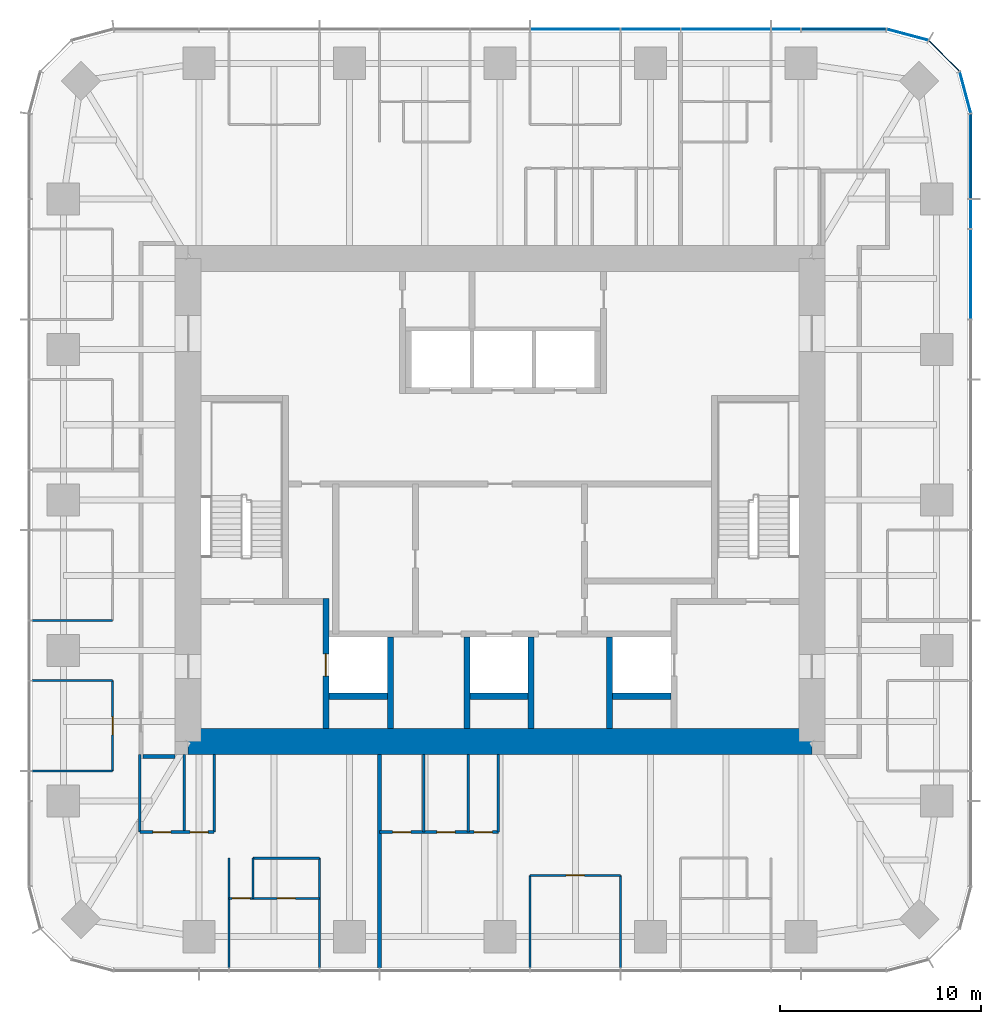
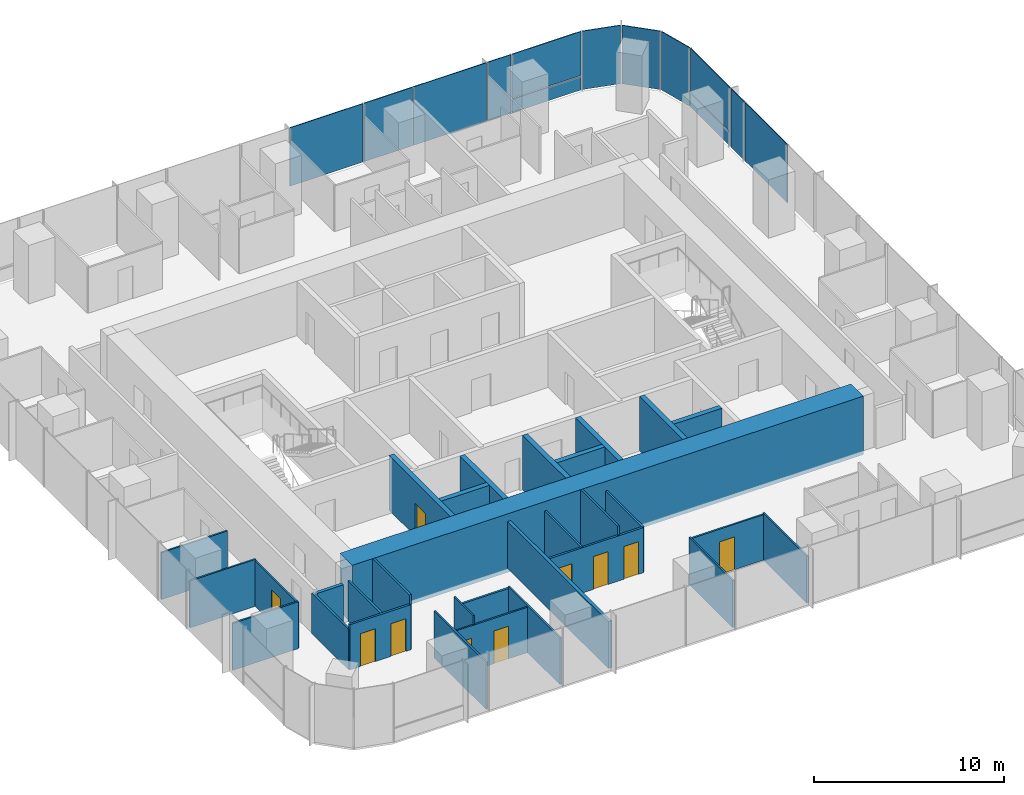
# One storey, part 8 of 12: 31 walls, 13 plates, 10 doors, 10 openings, 3 elements without a shape of their own.
"""IFC4 building model written with IfcOpenShell, lengths in metres."""

from ifc_helpers import new_model, si_unit, direction, frame, frame_2d, origin, origin_2d, place, context, subcontext, project, spatial, rectangle, extrude, material, layer, layer_set, type_object, element, fill, aggregate, save


model = new_model("IFC4")

# Units and contexts
model_context = context("Model", 3, precision=1e-05, world=origin(), true_north=direction((0.0, 1.0)))
body_context = subcontext(model_context, "Body", "Model", "MODEL_VIEW")
ifc_project = project(units=[si_unit("LENGTHUNIT", "METRE"), si_unit("AREAUNIT", "SQUARE_METRE"), si_unit("VOLUMEUNIT", "CUBIC_METRE"), si_unit("PLANEANGLEUNIT", "RADIAN"), si_unit("MASSUNIT", "GRAM", prefix="KILO")], contexts=[model_context])

# Site, building, storey
site_placement = place(None, origin())
site = spatial("IfcSite", under=ifc_project, at=site_placement, CompositionType="ELEMENT")
building_placement = place(site_placement, origin())
building = spatial("IfcBuilding", under=site, at=building_placement, Name="Khuree Lantern Residences", CompositionType="ELEMENT")
storey_placement = place(building_placement, frame((0.0, 0.0, 319.5)))
storey = spatial("IfcBuildingStorey", under=building, at=storey_placement, Name="L80", CompositionType="ELEMENT", Elevation=319.5)

# Curtain wall, plates
ifc_material_1 = material(Name="Bronze anodised aluminium", Category="aluminium")
curtain_wall_type_1 = type_object("IfcCurtainWallType", Name="CW-T2 TOWER CORNER CURTAIN WALL", PredefinedType="USERDEFINED", material=ifc_material_1)
curtain_wall_1_placement = place(storey_placement, origin())
curtain_wall_1 = element("IfcCurtainWall", 1, at=curtain_wall_1_placement, inside=storey, type_object=curtain_wall_type_1, Name="L80 NORTH-EAST CORNER CURTAIN WALL", ObjectType="Faceted corner curtain wall", PredefinedType="USERDEFINED")
ifc_material_2 = material(Name="Bronze tinted triple glazing", Category="glass")
ifc_layer_1 = layer(ifc_material_2, 0.048095703125)
ifc_layer_set_1 = layer_set([ifc_layer_1], Name="FACET PANEL P4")
plate_type_1 = type_object("IfcPlateType", Name="FACET PANEL P4", PredefinedType="CURTAIN_PANEL", material=ifc_layer_set_1)
plate_1_placement = place(storey_placement, frame((23.119140625, 20.248046875, 0.0), z_axis=(0.0, 0.0, 1.0), x_axis=(-0.2588189146, 0.965925861257, 0.0)))
plate_1 = element("IfcPlate", 2, at=plate_1_placement, type_object=plate_type_1, Name="L80 NORTH-EAST CORNER PANEL 15.1", PredefinedType="CURTAIN_PANEL", context=body_context, shape_type="SweptSolid", body=[
    extrude(rectangle(XDim=2.09814453125, YDim=0.048095703125, at=origin_2d()), origin(), (0.0, 0.0, 1.0), 3.75),
])
plate_2_placement = place(storey_placement, frame((22.068603515625, 22.068603515625, 0.0), z_axis=(0.0, 0.0, 1.0), x_axis=(-0.707106781187, 0.707106781187, 0.0)))
plate_2 = element("IfcPlate", 3, at=plate_2_placement, type_object=plate_type_1, Name="L80 NORTH-EAST CORNER PANEL 16.1", PredefinedType="CURTAIN_PANEL", context=body_context, shape_type="SweptSolid", body=[
    extrude(rectangle(XDim=2.093994140625, YDim=0.048095703125, at=origin_2d()), origin(), (0.0, 0.0, 1.0), 3.75),
])
plate_3_placement = place(storey_placement, frame((20.248046875, 23.119140625, 0.0), z_axis=(0.0, 0.0, 1.0), x_axis=(-0.965925861257, 0.2588189146, 0.0)))
plate_3 = element("IfcPlate", 4, at=plate_3_placement, type_object=plate_type_1, Name="L80 NORTH-EAST CORNER PANEL 17.1", PredefinedType="CURTAIN_PANEL", context=body_context, shape_type="SweptSolid", body=[
    extrude(rectangle(XDim=2.09814453125, YDim=0.048095703125, at=origin_2d()), origin(), (0.0, 0.0, 1.0), 3.75),
])
aggregate(curtain_wall_1, [plate_1, plate_2, plate_3])

# Curtain wall, plate
curtain_wall_type_2 = type_object("IfcCurtainWallType", Name="CW-T1 TOWER FACE CURTAIN WALL", PredefinedType="USERDEFINED", material=ifc_material_1)
curtain_wall_2_placement = place(storey_placement, origin())
curtain_wall_2 = element("IfcCurtainWall", 5, at=curtain_wall_2_placement, inside=storey, type_object=curtain_wall_type_2, Name="L80 EAST FACE CURTAIN WALL", ObjectType="Stick-built curtain wall", PredefinedType="USERDEFINED")
ifc_material_3 = material(Name="Bronze tinted triple glazing with a ceramic-fritted spandrel band", Category="glass")
ifc_layer_2 = layer(ifc_material_3, 0.048095703125)
ifc_layer_set_2 = layer_set([ifc_layer_2], Name="FIXED LIGHT PANEL P11")
plate_type_2 = type_object("IfcPlateType", Name="FIXED LIGHT PANEL P11", PredefinedType="CURTAIN_PANEL", material=ifc_layer_set_2)
plate_4_placement = place(storey_placement, frame((23.39990234375, 11.219970703125, 0.0), z_axis=(0.0, 0.0, 1.0), x_axis=(0.0, 1.0, 0.0)))
plate_4 = element("IfcPlate", 6, at=plate_4_placement, type_object=plate_type_2, Name="L80 EAST FACE PANEL 12.1", PredefinedType="CURTAIN_PANEL", context=body_context, shape_type="SweptSolid", body=[
    extrude(rectangle(XDim=4.423095703125, YDim=0.048095703125, at=origin_2d()), origin(), (0.0, 0.0, 1.0), 3.75),
])

# Curtain wall, plates
curtain_wall_3_placement = place(storey_placement, origin())
curtain_wall_3 = element("IfcCurtainWall", 7, at=curtain_wall_3_placement, inside=storey, type_object=curtain_wall_type_2, Name="L80 NORTH FACE CURTAIN WALL", ObjectType="Stick-built curtain wall", PredefinedType="USERDEFINED")
plate_5_placement = place(storey_placement, frame((11.219970703125, 23.39990234375, 0.0), z_axis=(0.0, 0.0, 1.0), x_axis=(-1.0, 0.0, 0.0)))
plate_5 = element("IfcPlate", 8, at=plate_5_placement, type_object=plate_type_2, Name="L80 NORTH FACE PANEL 20.1", PredefinedType="CURTAIN_PANEL", context=body_context, shape_type="SweptSolid", body=[
    extrude(rectangle(XDim=4.423095703125, YDim=0.048095703125, at=origin_2d()), origin(), (0.0, 0.0, 1.0), 3.75),
])
plate_6_placement = place(storey_placement, frame((3.739990234375, 23.39990234375, 0.0), z_axis=(0.0, 0.0, 1.0), x_axis=(-1.0, 0.0, 0.0)))
plate_6 = element("IfcPlate", 9, at=plate_6_placement, type_object=plate_type_2, Name="L80 NORTH FACE PANEL 22.1", PredefinedType="CURTAIN_PANEL", context=body_context, shape_type="SweptSolid", body=[
    extrude(rectangle(XDim=4.423095703125, YDim=0.048095703125, at=origin_2d()), origin(), (0.0, 0.0, 1.0), 3.75),
])
ifc_material_4 = material(Name="Bronze tinted triple glazing, two aluminium-framed sashes in one frame", Category="aluminium")
ifc_layer_3 = layer(ifc_material_4, 0.048095703125)
ifc_layer_set_3 = layer_set([ifc_layer_3], Name="SASH PAIR PANEL P12")
plate_type_3 = type_object("IfcPlateType", Name="SASH PAIR PANEL P12", PredefinedType="CURTAIN_PANEL", material=ifc_layer_set_3)
plate_7_placement = place(storey_placement, frame((7.47998046875, 23.39990234375, 0.0), z_axis=(0.0, 0.0, 1.0), x_axis=(-1.0, 0.0, 0.0)))
plate_7 = element("IfcPlate", 10, at=plate_7_placement, type_object=plate_type_3, Name="L80 NORTH FACE PANEL 21.1", PredefinedType="CURTAIN_PANEL", context=body_context, shape_type="SweptSolid", body=[
    extrude(rectangle(XDim=2.927001953125, YDim=0.048095703125, at=origin_2d()), origin(), (0.0, 0.0, 1.0), 3.75),
])

# Plate
ifc_material_5 = material(Name="Bronze tinted triple glazing, aluminium-framed sash", Category="aluminium")
ifc_layer_4 = layer(ifc_material_5, 0.048095703125)
ifc_layer_set_4 = layer_set([ifc_layer_4], Name="SASH PANEL P3")
plate_type_4 = type_object("IfcPlateType", Name="SASH PANEL P3", PredefinedType="CURTAIN_PANEL", material=ifc_layer_set_4)
plate_8_placement = place(storey_placement, frame((23.39990234375, 14.2119140625, 0.0), z_axis=(0.0, 0.0, 1.0), x_axis=(0.0, 1.0, 0.0)))
plate_8 = element("IfcPlate", 11, at=plate_8_placement, type_object=plate_type_4, Name="L80 EAST FACE PANEL 13.1", PredefinedType="CURTAIN_PANEL", context=body_context, shape_type="SweptSolid", body=[
    extrude(rectangle(XDim=1.430908203125, YDim=0.048095703125, at=origin_2d()), origin(), (0.0, 0.0, 1.0), 3.75),
])

plate_9_placement = place(storey_placement, frame((14.2119140625, 23.39990234375, 0.0), z_axis=(0.0, 0.0, 1.0), x_axis=(-1.0, 0.0, 0.0)))
plate_9 = element("IfcPlate", 12, at=plate_9_placement, type_object=plate_type_4, Name="L80 NORTH FACE PANEL 19.1", PredefinedType="CURTAIN_PANEL", context=body_context, shape_type="SweptSolid", body=[
    extrude(rectangle(XDim=1.430908203125, YDim=0.048095703125, at=origin_2d()), origin(), (0.0, 0.0, 1.0), 3.75),
])

ifc_material_6 = material(Name="Bronze anodised aluminium insulated spandrel", Category="aluminium")
ifc_layer_5 = layer(ifc_material_6, 0.06005859375)
ifc_layer_set_5 = layer_set([ifc_layer_5], Name="SPANDREL PANEL P2")
plate_type_5 = type_object("IfcPlateType", Name="SPANDREL PANEL P2", PredefinedType="CURTAIN_PANEL", material=ifc_layer_set_5)
plate_10_placement = place(storey_placement, frame((23.39990234375, 17.077880859375, 0.0), z_axis=(0.0, 0.0, 1.0), x_axis=(0.0, 1.0, 0.0)))
plate_10 = element("IfcPlate", 13, at=plate_10_placement, type_object=plate_type_5, Name="L80 EAST FACE PANEL 14.1", PredefinedType="CURTAIN_PANEL", context=body_context, shape_type="SweptSolid", body=[
    extrude(rectangle(XDim=4.170654296875, YDim=0.06005859375, at=origin_2d()), origin(), (0.0, 0.0, 1.0), 0.867431640625),
])

plate_11_placement = place(storey_placement, frame((17.077880859375, 23.39990234375, 0.0), z_axis=(0.0, 0.0, 1.0), x_axis=(-1.0, 0.0, 0.0)))
plate_11 = element("IfcPlate", 14, at=plate_11_placement, type_object=plate_type_5, Name="L80 NORTH FACE PANEL 18.1", PredefinedType="CURTAIN_PANEL", context=body_context, shape_type="SweptSolid", body=[
    extrude(rectangle(XDim=4.170654296875, YDim=0.06005859375, at=origin_2d()), origin(), (0.0, 0.0, 1.0), 0.867431640625),
])

ifc_layer_6 = layer(ifc_material_2, 0.048095703125)
ifc_layer_set_6 = layer_set([ifc_layer_6], Name="VISION PANEL P1")
plate_type_6 = type_object("IfcPlateType", Name="VISION PANEL P1", PredefinedType="CURTAIN_PANEL", material=ifc_layer_set_6)
plate_12_placement = place(storey_placement, frame((23.39990234375, 17.078369140625, 0.9326171875), z_axis=(0.0, 0.0, 1.0), x_axis=(0.0, 1.0, 0.0)))
plate_12 = element("IfcPlate", 15, at=plate_12_placement, type_object=plate_type_6, Name="L80 EAST FACE PANEL 14.2", PredefinedType="CURTAIN_PANEL", context=body_context, shape_type="SweptSolid", body=[
    extrude(rectangle(XDim=4.171630859375, YDim=0.048095703125, at=origin_2d()), origin(), (0.0, 0.0, 1.0), 2.8173828125),
])

aggregate(curtain_wall_2, [plate_4, plate_8, plate_10, plate_12])

plate_13_placement = place(storey_placement, frame((17.078369140625, 23.39990234375, 0.9326171875), z_axis=(0.0, 0.0, 1.0), x_axis=(-1.0, 0.0, 0.0)))
plate_13 = element("IfcPlate", 16, at=plate_13_placement, type_object=plate_type_6, Name="L80 NORTH FACE PANEL 18.2", PredefinedType="CURTAIN_PANEL", context=body_context, shape_type="SweptSolid", body=[
    extrude(rectangle(XDim=4.171630859375, YDim=0.048095703125, at=origin_2d()), origin(), (0.0, 0.0, 1.0), 2.8173828125),
])

aggregate(curtain_wall_3, [plate_11, plate_13, plate_9, plate_5, plate_7, plate_6])

# Wall
ifc_material_7 = material(Name="Moisture-resistant gypsum board on steel studs", Category="steel")
ifc_layer_7 = layer(ifc_material_7, 0.125)
ifc_layer_set_7 = layer_set([ifc_layer_7], Name="BATHROOM WALL BTW125")
wall_type_1 = type_object("IfcWallType", Name="BATHROOM WALL BTW125", PredefinedType="PARTITIONING", material=ifc_layer_set_7)
wall_1_placement = place(storey_placement, frame((-12.263916015625, -17.79638671875, 0.0), z_axis=(0.0, 0.0, 1.0), x_axis=(1.0, 0.0, 0.0)))
element("IfcWall", 17, at=wall_1_placement, inside=storey, type_object=wall_type_1, Name="L80 BATHROOM WALL 03", PredefinedType="PARTITIONING", context=body_context, shape_type="SweptSolid", body=[
    extrude(rectangle(XDim=3.287841796875, YDim=0.125, at=frame_2d((1.64404296875, 0.0))), origin(), (0.0, 0.0, 1.0), 2.909912109375),
])

# Wall, openings, doors
wall_2_placement = place(storey_placement, frame((-17.89990234375, -16.496337890625, 0.0), z_axis=(0.0, 0.0, 1.0), x_axis=(1.0, 0.0, 0.0)))
wall_2 = element("IfcWall", 18, at=wall_2_placement, inside=storey, type_object=wall_type_1, Name="L80 BATHROOM WALL 03", PredefinedType="PARTITIONING", context=body_context, shape_type="SweptSolid", body=[
    extrude(rectangle(XDim=3.699951171875, YDim=0.125, at=frame_2d((1.85009765625, 0.0))), origin(), (0.0, 0.0, 1.0), 2.89990234375),
])
opening_1_placement = place(wall_2_placement, frame((0.64990234375, 0.0, 0.0)))
opening_1 = element("IfcOpeningElement", 19, at=opening_1_placement, cuts=wall_2, Name="Opening 80-042", PredefinedType="OPENING", context=body_context, shape_type="SweptSolid", body=[
    extrude(rectangle(XDim=0.89990234375, YDim=2.10009765625, at=frame_2d((0.449951171875, 1.050048828125))), frame((0.0, 0.072509765625, 0.0), z_axis=(0.0, -1.0, 0.0), x_axis=(1.0, 0.0, 0.0)), (0.0, 0.0, 1.0), 0.14501953125),
])
opening_2_placement = place(wall_2_placement, frame((2.5, 0.0, 0.0)))
opening_2 = element("IfcOpeningElement", 20, at=opening_2_placement, cuts=wall_2, Name="Opening 80-043", PredefinedType="OPENING", context=body_context, shape_type="SweptSolid", body=[
    extrude(rectangle(XDim=0.89990234375, YDim=2.10009765625, at=frame_2d((0.449951171875, 1.050048828125))), frame((0.0, 0.072509765625, 0.0), z_axis=(0.0, -1.0, 0.0), x_axis=(1.0, 0.0, 0.0)), (0.0, 0.0, 1.0), 0.14501953125),
])
ifc_material_8 = material(Name="Timber door leaf in hardwood frame", Category="wood")
door_type_1 = type_object("IfcDoorType", Name="BATHROOM DOOR 900X2100", OperationType="SINGLE_SWING_LEFT", PredefinedType="DOOR", material=ifc_material_8)
door_1_placement = place(opening_1_placement, origin())
door_1 = element("IfcDoor", 21, at=door_1_placement, inside=storey, type_object=door_type_1, Name="Bathroom door 80-042", OperationType="SINGLE_SWING_LEFT", OverallHeight=2.10009765625, OverallWidth=0.89990234375, PredefinedType="DOOR", context=body_context, shape_type="SweptSolid", body=[
    extrude(rectangle(XDim=0.89990234375, YDim=2.10009765625, at=frame_2d((0.449951171875, 1.050048828125))), frame((0.0, 0.02490234375, 0.0), z_axis=(0.0, -1.0, 0.0), x_axis=(1.0, 0.0, 0.0)), (0.0, 0.0, 1.0), 0.050048828125),
])
fill(opening_1, door_1)
door_type_2 = type_object("IfcDoorType", Name="WC DOOR 900X2100", OperationType="SINGLE_SWING_LEFT", PredefinedType="DOOR", material=ifc_material_8)
door_2_placement = place(opening_2_placement, origin())
door_2 = element("IfcDoor", 22, at=door_2_placement, inside=storey, type_object=door_type_2, Name="WC door 80-043", OperationType="SINGLE_SWING_LEFT", OverallHeight=2.10009765625, OverallWidth=0.89990234375, PredefinedType="DOOR", context=body_context, shape_type="SweptSolid", body=[
    extrude(rectangle(XDim=0.89990234375, YDim=2.10009765625, at=frame_2d((0.449951171875, 1.050048828125))), frame((0.0, 0.02490234375, 0.0), z_axis=(0.0, -1.0, 0.0), x_axis=(1.0, 0.0, 0.0)), (0.0, 0.0, 1.0), 0.050048828125),
])
fill(opening_2, door_2)

# Walls
for number, where, z_axis, x_axis, name in (
    (23, (-17.89990234375, -12.64990234375, 0.0), (0.0, 0.0, 1.0), (0.0, -1.0, 0.0), "L80 BATHROOM WALL 03"),
    (24, (-15.699951171875, -12.64990234375, 0.0), (0.0, 0.0, 1.0), (0.0, -1.0, 0.0), "L80 BATHROOM WALL 03"),
):
    element("IfcWall", number, at=place(storey_placement, frame(where, z_axis=z_axis, x_axis=x_axis)), inside=storey, type_object=wall_type_1, Name=name, PredefinedType="PARTITIONING", context=body_context, shape_type="SweptSolid", body=[
        extrude(rectangle(XDim=3.846435546875, YDim=0.125, at=frame_2d((1.92333984375, 0.0))), origin(), (0.0, 0.0, 1.0), 2.60009765625),
    ])
wall_3_placement = place(storey_placement, frame((-14.199951171875, -12.64990234375, 0.0), z_axis=(0.0, 0.0, 1.0), x_axis=(0.0, -1.0, 0.0)))
element("IfcWall", 25, at=wall_3_placement, inside=storey, type_object=wall_type_1, Name="L80 BATHROOM WALL 03", PredefinedType="PARTITIONING", context=body_context, shape_type="SweptSolid", body=[
    extrude(rectangle(XDim=3.846435546875, YDim=0.125, at=frame_2d((1.92333984375, 0.0))), origin(), (0.0, 0.0, 1.0), 3.5),
])

# Wall, openings, doors
wall_4_placement = place(storey_placement, frame((-5.98388671875, -16.496337890625, 0.0), z_axis=(0.0, 0.0, 1.0), x_axis=(1.0, 0.0, 0.0)))
wall_4 = element("IfcWall", 26, at=wall_4_placement, inside=storey, type_object=wall_type_1, Name="L80 BATHROOM WALL 04", PredefinedType="PARTITIONING", context=body_context, shape_type="SweptSolid", body=[
    extrude(rectangle(XDim=5.89990234375, YDim=0.125, at=frame_2d((2.949951171875, 0.0))), origin(), (0.0, 0.0, 1.0), 2.89990234375),
])
opening_3_placement = place(wall_4_placement, frame((0.64990234375, 0.0, 0.0)))
opening_3 = element("IfcOpeningElement", 27, at=opening_3_placement, cuts=wall_4, Name="Opening 80-049", PredefinedType="OPENING", context=body_context, shape_type="SweptSolid", body=[
    extrude(rectangle(XDim=0.89990234375, YDim=2.10009765625, at=frame_2d((0.449951171875, 1.050048828125))), frame((0.0, 0.072509765625, 0.0), z_axis=(0.0, -1.0, 0.0), x_axis=(1.0, 0.0, 0.0)), (0.0, 0.0, 1.0), 0.14501953125),
])
opening_4_placement = place(wall_4_placement, frame((2.85009765625, 0.0, 0.0)))
opening_4 = element("IfcOpeningElement", 28, at=opening_4_placement, cuts=wall_4, Name="Opening 80-050", PredefinedType="OPENING", context=body_context, shape_type="SweptSolid", body=[
    extrude(rectangle(XDim=0.89990234375, YDim=2.10009765625, at=frame_2d((0.449951171875, 1.050048828125))), frame((0.0, 0.072509765625, 0.0), z_axis=(0.0, -1.0, 0.0), x_axis=(1.0, 0.0, 0.0)), (0.0, 0.0, 1.0), 0.14501953125),
])
opening_5_placement = place(wall_4_placement, frame((4.699951171875, 0.0, 0.0)))
opening_5 = element("IfcOpeningElement", 29, at=opening_5_placement, cuts=wall_4, Name="Opening 80-051", PredefinedType="OPENING", context=body_context, shape_type="SweptSolid", body=[
    extrude(rectangle(XDim=0.89990234375, YDim=2.10009765625, at=frame_2d((0.449951171875, 1.050048828125))), frame((0.0, 0.072509765625, 0.0), z_axis=(0.0, -1.0, 0.0), x_axis=(1.0, 0.0, 0.0)), (0.0, 0.0, 1.0), 0.14501953125),
])
door_3_placement = place(opening_3_placement, origin())
door_3 = element("IfcDoor", 30, at=door_3_placement, inside=storey, type_object=door_type_1, Name="Bathroom door 80-049", OperationType="SINGLE_SWING_LEFT", OverallHeight=2.10009765625, OverallWidth=0.89990234375, PredefinedType="DOOR", context=body_context, shape_type="SweptSolid", body=[
    extrude(rectangle(XDim=0.89990234375, YDim=2.10009765625, at=frame_2d((0.449951171875, 1.050048828125))), frame((0.0, 0.02490234375, 0.0), z_axis=(0.0, -1.0, 0.0), x_axis=(1.0, 0.0, 0.0)), (0.0, 0.0, 1.0), 0.050048828125),
])
fill(opening_3, door_3)
door_4_placement = place(opening_4_placement, origin())
door_4 = element("IfcDoor", 31, at=door_4_placement, inside=storey, type_object=door_type_1, Name="Bathroom door 80-050", OperationType="SINGLE_SWING_LEFT", OverallHeight=2.10009765625, OverallWidth=0.89990234375, PredefinedType="DOOR", context=body_context, shape_type="SweptSolid", body=[
    extrude(rectangle(XDim=0.89990234375, YDim=2.10009765625, at=frame_2d((0.449951171875, 1.050048828125))), frame((0.0, 0.02490234375, 0.0), z_axis=(0.0, -1.0, 0.0), x_axis=(1.0, 0.0, 0.0)), (0.0, 0.0, 1.0), 0.050048828125),
])
fill(opening_4, door_4)
door_5_placement = place(opening_5_placement, origin())
door_5 = element("IfcDoor", 32, at=door_5_placement, inside=storey, type_object=door_type_2, Name="WC door 80-051", OperationType="SINGLE_SWING_LEFT", OverallHeight=2.10009765625, OverallWidth=0.89990234375, PredefinedType="DOOR", context=body_context, shape_type="SweptSolid", body=[
    extrude(rectangle(XDim=0.89990234375, YDim=2.10009765625, at=frame_2d((0.449951171875, 1.050048828125))), frame((0.0, 0.02490234375, 0.0), z_axis=(0.0, -1.0, 0.0), x_axis=(1.0, 0.0, 0.0)), (0.0, 0.0, 1.0), 0.050048828125),
])
fill(opening_5, door_5)

# Walls
wall_5_placement = place(storey_placement, frame((-3.783935546875, -12.64990234375, 0.0), z_axis=(0.0, 0.0, 1.0), x_axis=(0.0, -1.0, 0.0)))
element("IfcWall", 33, at=wall_5_placement, inside=storey, type_object=wall_type_1, Name="L80 BATHROOM WALL 04", PredefinedType="PARTITIONING", context=body_context, shape_type="SweptSolid", body=[
    extrude(rectangle(XDim=3.846435546875, YDim=0.125, at=frame_2d((1.92333984375, 0.0))), origin(), (0.0, 0.0, 1.0), 2.909912109375),
])
wall_6_placement = place(storey_placement, frame((-1.583984375, -12.64990234375, 0.0), z_axis=(0.0, 0.0, 1.0), x_axis=(0.0, -1.0, 0.0)))
element("IfcWall", 34, at=wall_6_placement, inside=storey, type_object=wall_type_1, Name="L80 BATHROOM WALL 04", PredefinedType="PARTITIONING", context=body_context, shape_type="SweptSolid", body=[
    extrude(rectangle(XDim=3.846435546875, YDim=0.125, at=frame_2d((1.92333984375, 0.0))), origin(), (0.0, 0.0, 1.0), 3.5),
])
wall_7_placement = place(storey_placement, frame((-0.083984375, -12.64990234375, 0.0), z_axis=(0.0, 0.0, 1.0), x_axis=(0.0, -1.0, 0.0)))
element("IfcWall", 35, at=wall_7_placement, inside=storey, type_object=wall_type_1, Name="L80 BATHROOM WALL 04", PredefinedType="PARTITIONING", context=body_context, shape_type="SweptSolid", body=[
    extrude(rectangle(XDim=3.846435546875, YDim=0.125, at=frame_2d((1.92333984375, 0.0))), origin(), (0.0, 0.0, 1.0), 2.89990234375),
])

# Wall, opening, door
ifc_material_9 = material(Name="Dense concrete blockwork", Category="masonry")
ifc_layer_8 = layer(ifc_material_9, 0.300048828125)
ifc_layer_set_8 = layer_set([ifc_layer_8], Name="CORE PARTITION WALL CPW300 EI 120")
wall_type_2 = type_object("IfcWallType", Name="CORE PARTITION WALL CPW300 EI 120", PredefinedType="PARTITIONING", material=ifc_layer_set_8)
wall_8_placement = place(storey_placement, frame((-8.64990234375, -11.35009765625, 0.0), z_axis=(0.0, 0.0, 1.0), x_axis=(0.0, 1.0, 0.0)))
wall_8 = element("IfcWall", 36, at=wall_8_placement, inside=storey, type_object=wall_type_2, Name="L80 CORE WALL FL1W", PredefinedType="PARTITIONING", context=body_context, shape_type="SweptSolid", body=[
    extrude(rectangle(XDim=6.4501953125, YDim=0.300048828125, at=frame_2d((3.22509765625, 0.0))), origin(), (0.0, 0.0, 1.0), 3.5),
])
opening_6_placement = place(wall_8_placement, frame((2.60009765625, 0.0, 0.0)))
opening_6 = element("IfcOpeningElement", 37, at=opening_6_placement, cuts=wall_8, Name="Opening 80-007", PredefinedType="OPENING", context=body_context, shape_type="SweptSolid", body=[
    extrude(rectangle(XDim=1.10009765625, YDim=2.10009765625, at=frame_2d((0.550048828125, 1.050048828125))), frame((0.0, 0.16015625, 0.0), z_axis=(0.0, -1.0, 0.0), x_axis=(1.0, 0.0, 0.0)), (0.0, 0.0, 1.0), 0.320068359375),
])
ifc_material_10 = material(Name="Stainless steel lift landing door", Category="steel")
door_type_3 = type_object("IfcDoorType", Name="LIFT LANDING DOOR 1100X2100 E 120", OperationType="DOUBLE_DOOR_SLIDING", PredefinedType="DOOR", material=ifc_material_10)
door_6_placement = place(opening_6_placement, origin())
door_6 = element("IfcDoor", 38, at=door_6_placement, inside=storey, type_object=door_type_3, Name="Landing door FL1 80-007", OperationType="DOUBLE_DOOR_SLIDING", OverallHeight=2.10009765625, OverallWidth=1.10009765625, PredefinedType="DOOR", context=body_context, shape_type="SweptSolid", body=[
    extrude(rectangle(XDim=1.10009765625, YDim=2.10009765625, at=frame_2d((0.550048828125, 1.050048828125))), frame((0.0, 0.02490234375, 0.0), z_axis=(0.0, -1.0, 0.0), x_axis=(1.0, 0.0, 0.0)), (0.0, 0.0, 1.0), 0.050048828125),
])
fill(opening_6, door_6)

# Walls
for number, where, z_axis, x_axis, name in (
    (39, (-5.449951171875, -11.35009765625, 0.0), (0.0, 0.0, 1.0), (0.0, 1.0, 0.0), "L80 CORE WALL FL1E"),
    (40, (-1.64990234375, -11.35009765625, 0.0), (0.0, 0.0, 1.0), (0.0, 1.0, 0.0), "L80 CORE WALL SL1W"),
    (41, (1.550048828125, -11.35009765625, 0.0), (0.0, 0.0, 1.0), (0.0, 1.0, 0.0), "L80 CORE WALL SL1E"),
    (42, (5.449951171875, -11.35009765625, 0.0), (0.0, 0.0, 1.0), (0.0, 1.0, 0.0), "L80 CORE WALL FL2W"),
):
    element("IfcWall", number, at=place(storey_placement, frame(where, z_axis=z_axis, x_axis=x_axis)), inside=storey, type_object=wall_type_2, Name=name, PredefinedType="PARTITIONING", context=body_context, shape_type="SweptSolid", body=[
        extrude(rectangle(XDim=4.550048828125, YDim=0.300048828125, at=frame_2d((2.27490234375, 0.0))), origin(), (0.0, 0.0, 1.0), 3.5),
    ])
for number, where, z_axis, x_axis, name in (
    (43, (-8.5, -9.75, 0.0), (0.0, 0.0, 1.0), (1.0, 0.0, 0.0), "L80 CORE WALL FL1S"),
    (44, (-1.5, -9.75, 0.0), (0.0, 0.0, 1.0), (1.0, 0.0, 0.0), "L80 CORE WALL SL1S"),
    (45, (5.60009765625, -9.75, 0.0), (0.0, 0.0, 1.0), (1.0, 0.0, 0.0), "L80 CORE WALL FL2S"),
):
    element("IfcWall", number, at=place(storey_placement, frame(where, z_axis=z_axis, x_axis=x_axis)), inside=storey, type_object=wall_type_2, Name=name, PredefinedType="PARTITIONING", context=body_context, shape_type="SweptSolid", body=[
        extrude(rectangle(XDim=2.89990234375, YDim=0.300048828125, at=frame_2d((1.449951171875, 0.0))), origin(), (0.0, 0.0, 1.0), 3.5),
    ])
ifc_material_11 = material(Name="Gypsum board on steel studs", Category="steel")
ifc_layer_9 = layer(ifc_material_11, 0.199951171875)
ifc_layer_set_9 = layer_set([ifc_layer_9], Name="CORRIDOR WALL CRW200 EI 60")
wall_type_3 = type_object("IfcWallType", Name="CORRIDOR WALL CRW200 EI 60", PredefinedType="PARTITIONING", material=ifc_layer_set_9)
wall_9_placement = place(storey_placement, frame((-16.14990234375, -12.75, 0.0), z_axis=(0.0, 0.0, 1.0), x_axis=(-1.0, 0.0, 0.0)))
element("IfcWall", 46, at=wall_9_placement, inside=storey, type_object=wall_type_3, Name="L80 WEST CORRIDOR SOUTH END WALL", PredefinedType="PARTITIONING", context=body_context, shape_type="SweptSolid", body=[
    extrude(rectangle(XDim=1.60009765625, YDim=0.199951171875, at=frame_2d((0.800048828125, 0.0))), origin(), (0.0, 0.0, 1.0), 2.60009765625),
])
ifc_material_12 = material(Name="Concrete C50/60", Category="concrete")
ifc_layer_10 = layer(ifc_material_12, 1.300048828125)
ifc_layer_set_10 = layer_set([ifc_layer_10], Name="CW1300-C50 CORE WALL C50 1300")
wall_type_4 = type_object("IfcWallType", Name="CW1300-C50 CORE WALL C50 1300", PredefinedType="SHEAR", material=ifc_layer_set_10)
wall_10_placement = place(storey_placement, frame((-15.5, -12.0, -0.25), z_axis=(0.0, 0.0, 1.0), x_axis=(1.0, 0.0, 0.0)))
element("IfcWall", 47, at=wall_10_placement, inside=storey, type_object=wall_type_4, Name="Core wall S", PredefinedType="SHEAR", context=body_context, shape_type="SweptSolid", body=[
    extrude(rectangle(XDim=31.0, YDim=1.300048828125, at=frame_2d((15.5, 0.0))), origin(), (0.0, 0.0, 1.0), 3.75),
])
ifc_layer_11 = layer(ifc_material_11, 0.199951171875)
ifc_layer_set_11 = layer_set([ifc_layer_11], Name="DEMISING WALL DMW200 EI 90")
wall_type_5 = type_object("IfcWallType", Name="DEMISING WALL DMW200 EI 90", PredefinedType="PARTITIONING", material=ifc_layer_set_11)
wall_11_placement = place(storey_placement, frame((-5.98388671875, -12.64990234375, 0.0), z_axis=(0.0, 0.0, 1.0), x_axis=(0.0, -1.0, 0.0)))
element("IfcWall", 48, at=wall_11_placement, inside=storey, type_object=wall_type_5, Name="L80 DEMISING WALL 04", PredefinedType="PARTITIONING", context=body_context, shape_type="SweptSolid", body=[
    extrude(rectangle(XDim=10.60009765625, YDim=0.199951171875, at=frame_2d((5.300048828125, 0.0))), origin(), (0.0, 0.0, 1.0), 3.010009765625),
])
ifc_layer_12 = layer(ifc_material_11, 0.10009765625)
ifc_layer_set_12 = layer_set([ifc_layer_12], Name="PARTITION PT100")
wall_type_6 = type_object("IfcWallType", Name="PARTITION PT100", PredefinedType="PARTITIONING", material=ifc_layer_set_12)
for number, where, z_axis, x_axis, name in (
    (49, (-19.25, -5.98388671875, 0.0), (0.0, 0.0, 1.0), (-1.0, 0.0, 0.0), "L80 PARTITION 03"),
    (50, (-19.25, -8.97607421875, 0.0), (0.0, 0.0, 1.0), (-1.0, 0.0, 0.0), "L80 PARTITION 03"),
    (51, (-19.25, -13.464111328125, 0.0), (0.0, 0.0, 1.0), (-1.0, 0.0, 0.0), "L80 PARTITION 03"),
):
    element("IfcWall", number, at=place(storey_placement, frame(where, z_axis=z_axis, x_axis=x_axis)), inside=storey, type_object=wall_type_6, Name=name, PredefinedType="PARTITIONING", context=body_context, shape_type="SweptSolid", body=[
        extrude(rectangle(XDim=4.0, YDim=0.10009765625, at=frame_2d((2.0, 0.0))), origin(), (0.0, 0.0, 1.0), 3.010009765625),
    ])
for number, where, z_axis, x_axis, name in (
    (52, (-13.464111328125, -17.79638671875, 0.0), (0.0, 0.0, 1.0), (0.0, -1.0, 0.0), "L80 PARTITION 03"),
    (53, (-8.97607421875, -17.79638671875, 0.0), (0.0, 0.0, 1.0), (0.0, -1.0, 0.0), "L80 PARTITION 03"),
):
    element("IfcWall", number, at=place(storey_placement, frame(where, z_axis=z_axis, x_axis=x_axis)), inside=storey, type_object=wall_type_6, Name=name, PredefinedType="PARTITIONING", context=body_context, shape_type="SweptSolid", body=[
        extrude(rectangle(XDim=5.45361328125, YDim=0.10009765625, at=frame_2d((2.726806640625, 0.0))), origin(), (0.0, 0.0, 1.0), 3.010009765625),
    ])
for number, where, z_axis, x_axis, name in (
    (54, (1.49609375, -18.64990234375, 0.0), (0.0, 0.0, 1.0), (0.0, -1.0, 0.0), "L80 PARTITION 04"),
    (55, (5.98388671875, -18.64990234375, 0.0), (0.0, 0.0, 1.0), (0.0, -1.0, 0.0), "L80 PARTITION 04"),
):
    element("IfcWall", number, at=place(storey_placement, frame(where, z_axis=z_axis, x_axis=x_axis)), inside=storey, type_object=wall_type_6, Name=name, PredefinedType="PARTITIONING", context=body_context, shape_type="SweptSolid", body=[
        extrude(rectangle(XDim=4.60009765625, YDim=0.10009765625, at=frame_2d((2.300048828125, 0.0))), origin(), (0.0, 0.0, 1.0), 3.010009765625),
    ])

# Wall, opening, door
wall_12_placement = place(storey_placement, frame((-19.25, -8.97607421875, 0.0), z_axis=(0.0, 0.0, 1.0), x_axis=(0.0, -1.0, 0.0)))
wall_12 = element("IfcWall", 56, at=wall_12_placement, inside=storey, type_object=wall_type_6, Name="L80 PARTITION 03", PredefinedType="PARTITIONING", context=body_context, shape_type="SweptSolid", body=[
    extrude(rectangle(XDim=4.488037109375, YDim=0.10009765625, at=frame_2d((2.244140625, 0.0))), origin(), (0.0, 0.0, 1.0), 2.909912109375),
])
opening_7_placement = place(wall_12_placement, frame((1.7939453125, 0.0, 0.0)))
opening_7 = element("IfcOpeningElement", 57, at=opening_7_placement, cuts=wall_12, Name="Opening 80-039", PredefinedType="OPENING", context=body_context, shape_type="SweptSolid", body=[
    extrude(rectangle(XDim=0.89990234375, YDim=2.10009765625, at=frame_2d((0.449951171875, 1.050048828125))), frame((0.0, 0.06005859375, 0.0), z_axis=(0.0, -1.0, 0.0), x_axis=(1.0, 0.0, 0.0)), (0.0, 0.0, 1.0), 0.1201171875),
])
door_type_4 = type_object("IfcDoorType", Name="BEDROOM DOOR 900X2100", OperationType="SINGLE_SWING_LEFT", PredefinedType="DOOR", material=ifc_material_8)
door_7_placement = place(opening_7_placement, origin())
door_7 = element("IfcDoor", 58, at=door_7_placement, inside=storey, type_object=door_type_4, Name="Bedroom door 80-039", OperationType="SINGLE_SWING_LEFT", OverallHeight=2.10009765625, OverallWidth=0.89990234375, PredefinedType="DOOR", context=body_context, shape_type="SweptSolid", body=[
    extrude(rectangle(XDim=0.89990234375, YDim=2.10009765625, at=frame_2d((0.449951171875, 1.050048828125))), frame((0.0, 0.02490234375, 0.0), z_axis=(0.0, -1.0, 0.0), x_axis=(1.0, 0.0, 0.0)), (0.0, 0.0, 1.0), 0.050048828125),
])
fill(opening_7, door_7)

# Wall, openings, doors
wall_13_placement = place(storey_placement, frame((-13.464111328125, -19.79638671875, 0.0), z_axis=(0.0, 0.0, 1.0), x_axis=(1.0, 0.0, 0.0)))
wall_13 = element("IfcWall", 59, at=wall_13_placement, inside=storey, type_object=wall_type_6, Name="L80 PARTITION 03", PredefinedType="PARTITIONING", context=body_context, shape_type="SweptSolid", body=[
    extrude(rectangle(XDim=4.488037109375, YDim=0.10009765625, at=frame_2d((2.244140625, 0.0))), origin(), (0.0, 0.0, 1.0), 2.909912109375),
])
opening_8_placement = place(wall_13_placement, frame((0.14990234375, 0.0, 0.0)))
opening_8 = element("IfcOpeningElement", 60, at=opening_8_placement, cuts=wall_13, Name="Opening 80-040", PredefinedType="OPENING", context=body_context, shape_type="SweptSolid", body=[
    extrude(rectangle(XDim=0.89990234375, YDim=2.10009765625, at=frame_2d((0.449951171875, 1.050048828125))), frame((0.0, 0.06005859375, 0.0), z_axis=(0.0, -1.0, 0.0), x_axis=(1.0, 0.0, 0.0)), (0.0, 0.0, 1.0), 0.1201171875),
])
opening_9_placement = place(wall_13_placement, frame((2.39404296875, 0.0, 0.0)))
opening_9 = element("IfcOpeningElement", 61, at=opening_9_placement, cuts=wall_13, Name="Opening 80-041", PredefinedType="OPENING", context=body_context, shape_type="SweptSolid", body=[
    extrude(rectangle(XDim=0.89990234375, YDim=2.10009765625, at=frame_2d((0.449951171875, 1.050048828125))), frame((0.0, 0.06005859375, 0.0), z_axis=(0.0, -1.0, 0.0), x_axis=(1.0, 0.0, 0.0)), (0.0, 0.0, 1.0), 0.1201171875),
])
door_8_placement = place(opening_9_placement, origin())
door_8 = element("IfcDoor", 62, at=door_8_placement, inside=storey, type_object=door_type_1, Name="Bathroom door 80-041", OperationType="SINGLE_SWING_LEFT", OverallHeight=2.10009765625, OverallWidth=0.89990234375, PredefinedType="DOOR", context=body_context, shape_type="SweptSolid", body=[
    extrude(rectangle(XDim=0.89990234375, YDim=2.10009765625, at=frame_2d((0.449951171875, 1.050048828125))), frame((0.0, 0.02490234375, 0.0), z_axis=(0.0, -1.0, 0.0), x_axis=(1.0, 0.0, 0.0)), (0.0, 0.0, 1.0), 0.050048828125),
])
fill(opening_9, door_8)
door_9_placement = place(opening_8_placement, origin())
door_9 = element("IfcDoor", 63, at=door_9_placement, inside=storey, type_object=door_type_4, Name="Bedroom door 80-040", OperationType="SINGLE_SWING_LEFT", OverallHeight=2.10009765625, OverallWidth=0.89990234375, PredefinedType="DOOR", context=body_context, shape_type="SweptSolid", body=[
    extrude(rectangle(XDim=0.89990234375, YDim=2.10009765625, at=frame_2d((0.449951171875, 1.050048828125))), frame((0.0, 0.02490234375, 0.0), z_axis=(0.0, -1.0, 0.0), x_axis=(1.0, 0.0, 0.0)), (0.0, 0.0, 1.0), 0.050048828125),
])
fill(opening_8, door_9)

# Wall
wall_14_placement = place(storey_placement, frame((-12.263916015625, -17.79638671875, 0.0), z_axis=(0.0, 0.0, 1.0), x_axis=(0.0, -1.0, 0.0)))
element("IfcWall", 64, at=wall_14_placement, inside=storey, type_object=wall_type_6, Name="L80 PARTITION 03", PredefinedType="PARTITIONING", context=body_context, shape_type="SweptSolid", body=[
    extrude(rectangle(XDim=2.0, YDim=0.10009765625, at=frame_2d((1.0, 0.0))), origin(), (0.0, 0.0, 1.0), 3.5),
])

# Wall, opening, door
wall_15_placement = place(storey_placement, frame((1.49609375, -18.64990234375, 0.0), z_axis=(0.0, 0.0, 1.0), x_axis=(1.0, 0.0, 0.0)))
wall_15 = element("IfcWall", 65, at=wall_15_placement, inside=storey, type_object=wall_type_6, Name="L80 PARTITION 04", PredefinedType="PARTITIONING", context=body_context, shape_type="SweptSolid", body=[
    extrude(rectangle(XDim=4.48779296875, YDim=0.10009765625, at=frame_2d((2.243896484375, 0.0))), origin(), (0.0, 0.0, 1.0), 2.909912109375),
])
opening_10_placement = place(wall_15_placement, frame((1.7939453125, 0.0, 0.0)))
opening_10 = element("IfcOpeningElement", 66, at=opening_10_placement, cuts=wall_15, Name="Opening 80-045", PredefinedType="OPENING", context=body_context, shape_type="SweptSolid", body=[
    extrude(rectangle(XDim=0.89990234375, YDim=2.10009765625, at=frame_2d((0.449951171875, 1.050048828125))), frame((0.0, 0.06005859375, 0.0), z_axis=(0.0, -1.0, 0.0), x_axis=(1.0, 0.0, 0.0)), (0.0, 0.0, 1.0), 0.1201171875),
])
door_10_placement = place(opening_10_placement, origin())
door_10 = element("IfcDoor", 67, at=door_10_placement, inside=storey, type_object=door_type_4, Name="Bedroom door 80-045", OperationType="SINGLE_SWING_LEFT", OverallHeight=2.10009765625, OverallWidth=0.89990234375, PredefinedType="DOOR", context=body_context, shape_type="SweptSolid", body=[
    extrude(rectangle(XDim=0.89990234375, YDim=2.10009765625, at=frame_2d((0.449951171875, 1.050048828125))), frame((0.0, 0.02490234375, 0.0), z_axis=(0.0, -1.0, 0.0), x_axis=(1.0, 0.0, 0.0)), (0.0, 0.0, 1.0), 0.050048828125),
])
fill(opening_10, door_10)

save(model, "model.ifc")
